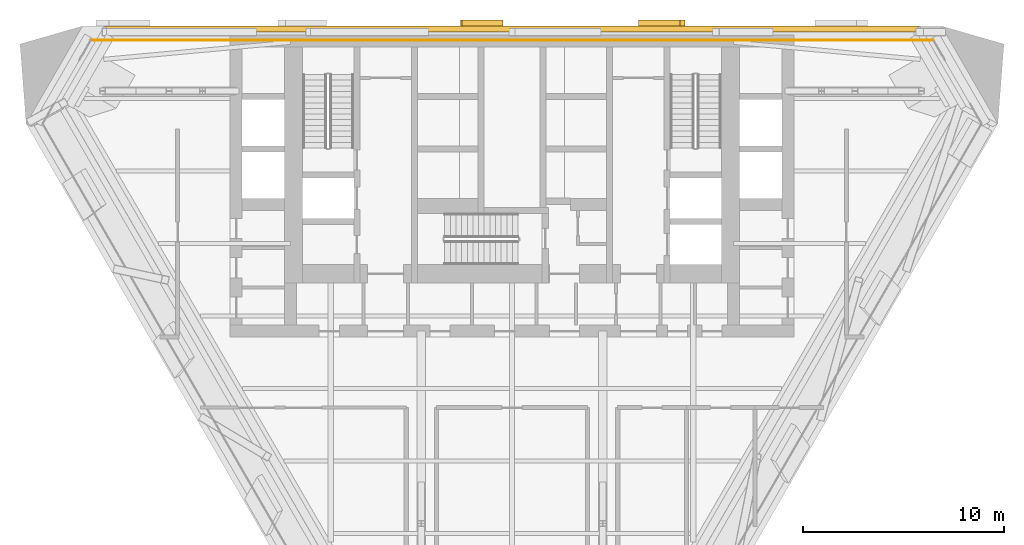
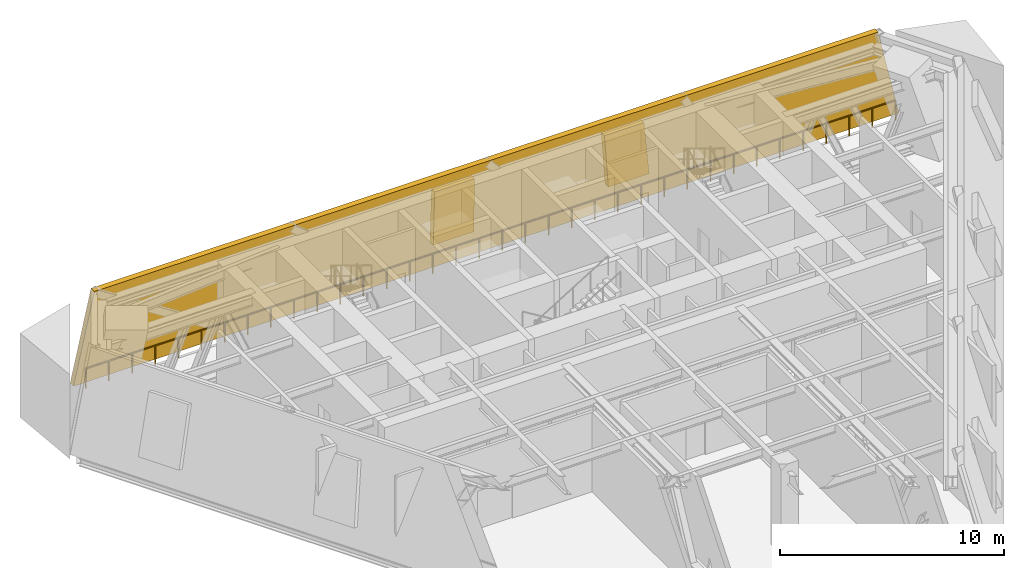
# One storey, part 11 of 12: 2 shading devices, 1 covering, 1 railing.
"""IFC4 building model written with IfcOpenShell, lengths in metres."""

from ifc_helpers import new_model, si_unit, direction, frame, origin, origin_2d, place, context, subcontext, project, spatial, polyline, circle, outline, extrude, material, layer, layer_set, type_object, element, save


model = new_model("IFC4")

# Units and contexts
model_context = context("Model", 3, precision=1e-05, world=origin(), true_north=direction((0.0, 1.0)))
body_context = subcontext(model_context, "Body", "Model", "MODEL_VIEW")
ifc_project = project(units=[si_unit("LENGTHUNIT", "METRE"), si_unit("AREAUNIT", "SQUARE_METRE"), si_unit("VOLUMEUNIT", "CUBIC_METRE"), si_unit("PLANEANGLEUNIT", "RADIAN"), si_unit("MASSUNIT", "GRAM", prefix="KILO")], contexts=[model_context])

# Site, building, storey
site_placement = place(None, origin())
site = spatial("IfcSite", under=ifc_project, at=site_placement, CompositionType="ELEMENT")
building_placement = place(site_placement, origin())
building = spatial("IfcBuilding", under=site, at=building_placement, Name="Aloe Facet Convention Tower", CompositionType="ELEMENT")
storey_placement = place(building_placement, frame((0.0, 0.0, 123.800048828125)))
storey = spatial("IfcBuildingStorey", under=building, at=storey_placement, Name="L31", CompositionType="ELEMENT", Elevation=123.800048828125)

# Covering
ifc_material_1 = material(Name="Granite cladding, bronze anchors", Category="masonry")
ifc_layer_1 = layer(ifc_material_1, 0.300048828125)
ifc_layer_set_1 = layer_set([ifc_layer_1], Name="EV-CLAD-STONE")
covering_type = type_object("IfcCoveringType", Name="EV-CLAD-STONE", PredefinedType="CLADDING", material=ifc_layer_set_1)
covering_placement = place(storey_placement, frame((101.321533203125, 135.0, 0.0), z_axis=(0.0, 1.0, 0.0), x_axis=(-1.0, 0.0, 0.0)))
element("IfcCovering", 1, at=covering_placement, inside=storey, type_object=covering_type, Name="CLADDING L31-N", PredefinedType="CLADDING", context=body_context, shape_type="SweptSolid", body=[
    extrude(outline(polyline([(0.0, 0.0), (42.64306640625, 0.0), (41.564697265625, 4.800048828125), (1.078369140625, 4.800048828125), (0.0, 0.0)])), origin(), (0.0, 0.0, -1.0), 0.300048828125),
])

# Railing
ifc_material_2 = material(Name="Steel S355", Category="steel")
railing_type = type_object("IfcRailingType", Name="EV-GUARD-PORTAL", PredefinedType="GUARDRAIL", material=ifc_material_2)
railing_placement = place(storey_placement, frame((59.08251953125, 134.300048828125, 0.0)))
element("IfcRailing", 2, at=railing_placement, inside=storey, type_object=railing_type, Name="GUARD L31-9", PredefinedType="GUARDRAIL", context=body_context, shape_type="SweptSolid", body=[
    extrude(circle(Radius=0.02392578125, at=origin_2d()), frame((0.0, 0.0, 1.076171875), z_axis=(1.0, 0.0, 0.0), x_axis=(0.0, 1.0, 0.0)), (0.0, 0.0, 1.0), 41.8349609375),
    extrude(circle(Radius=0.02099609375, at=origin_2d()), origin(), (0.0, 0.0, 1.0), 1.052001953125),
    extrude(circle(Radius=0.02099609375, at=origin_2d()), frame((1.1953125, 0.0, 0.0)), (0.0, 0.0, 1.0), 1.052001953125),
    extrude(circle(Radius=0.02099609375, at=origin_2d()), frame((2.390625, 0.0, 0.0)), (0.0, 0.0, 1.0), 1.052001953125),
    extrude(circle(Radius=0.02099609375, at=origin_2d()), frame((3.5859375, 0.0, 0.0)), (0.0, 0.0, 1.0), 1.052001953125),
    extrude(circle(Radius=0.02099609375, at=origin_2d()), frame((4.78125, 0.0, 0.0)), (0.0, 0.0, 1.0), 1.052001953125),
    extrude(circle(Radius=0.02099609375, at=origin_2d()), frame((5.976318359375, 0.0, 0.0)), (0.0, 0.0, 1.0), 1.052001953125),
    extrude(circle(Radius=0.02099609375, at=origin_2d()), frame((7.171630859375, 0.0, 0.0)), (0.0, 0.0, 1.0), 1.052001953125),
    extrude(circle(Radius=0.02099609375, at=origin_2d()), frame((8.366943359375, 0.0, 0.0)), (0.0, 0.0, 1.0), 1.052001953125),
    extrude(circle(Radius=0.02099609375, at=origin_2d()), frame((9.562255859375, 0.0, 0.0)), (0.0, 0.0, 1.0), 1.052001953125),
    extrude(circle(Radius=0.02099609375, at=origin_2d()), frame((10.757568359375, 0.0, 0.0)), (0.0, 0.0, 1.0), 1.052001953125),
    extrude(circle(Radius=0.02099609375, at=origin_2d()), frame((11.952880859375, 0.0, 0.0)), (0.0, 0.0, 1.0), 1.052001953125),
    extrude(circle(Radius=0.02099609375, at=origin_2d()), frame((13.148193359375, 0.0, 0.0)), (0.0, 0.0, 1.0), 1.052001953125),
    extrude(circle(Radius=0.02099609375, at=origin_2d()), frame((14.343505859375, 0.0, 0.0)), (0.0, 0.0, 1.0), 1.052001953125),
    extrude(circle(Radius=0.02099609375, at=origin_2d()), frame((15.538818359375, 0.0, 0.0)), (0.0, 0.0, 1.0), 1.052001953125),
    extrude(circle(Radius=0.02099609375, at=origin_2d()), frame((16.73388671875, 0.0, 0.0)), (0.0, 0.0, 1.0), 1.052001953125),
    extrude(circle(Radius=0.02099609375, at=origin_2d()), frame((17.92919921875, 0.0, 0.0)), (0.0, 0.0, 1.0), 1.052001953125),
    extrude(circle(Radius=0.02099609375, at=origin_2d()), frame((19.12451171875, 0.0, 0.0)), (0.0, 0.0, 1.0), 1.052001953125),
    extrude(circle(Radius=0.02099609375, at=origin_2d()), frame((20.31982421875, 0.0, 0.0)), (0.0, 0.0, 1.0), 1.052001953125),
    extrude(circle(Radius=0.02099609375, at=origin_2d()), frame((21.51513671875, 0.0, 0.0)), (0.0, 0.0, 1.0), 1.052001953125),
    extrude(circle(Radius=0.02099609375, at=origin_2d()), frame((22.71044921875, 0.0, 0.0)), (0.0, 0.0, 1.0), 1.052001953125),
    extrude(circle(Radius=0.02099609375, at=origin_2d()), frame((23.90576171875, 0.0, 0.0)), (0.0, 0.0, 1.0), 1.052001953125),
    extrude(circle(Radius=0.02099609375, at=origin_2d()), frame((25.10107421875, 0.0, 0.0)), (0.0, 0.0, 1.0), 1.052001953125),
    extrude(circle(Radius=0.02099609375, at=origin_2d()), frame((26.296142578125, 0.0, 0.0)), (0.0, 0.0, 1.0), 1.052001953125),
    extrude(circle(Radius=0.02099609375, at=origin_2d()), frame((27.491455078125, 0.0, 0.0)), (0.0, 0.0, 1.0), 1.052001953125),
    extrude(circle(Radius=0.02099609375, at=origin_2d()), frame((28.686767578125, 0.0, 0.0)), (0.0, 0.0, 1.0), 1.052001953125),
    extrude(circle(Radius=0.02099609375, at=origin_2d()), frame((29.882080078125, 0.0, 0.0)), (0.0, 0.0, 1.0), 1.052001953125),
    extrude(circle(Radius=0.02099609375, at=origin_2d()), frame((31.077392578125, 0.0, 0.0)), (0.0, 0.0, 1.0), 1.052001953125),
    extrude(circle(Radius=0.02099609375, at=origin_2d()), frame((32.272705078125, 0.0, 0.0)), (0.0, 0.0, 1.0), 1.052001953125),
    extrude(circle(Radius=0.02099609375, at=origin_2d()), frame((33.468017578125, 0.0, 0.0)), (0.0, 0.0, 1.0), 1.052001953125),
    extrude(circle(Radius=0.02099609375, at=origin_2d()), frame((34.663330078125, 0.0, 0.0)), (0.0, 0.0, 1.0), 1.052001953125),
    extrude(circle(Radius=0.02099609375, at=origin_2d()), frame((35.858642578125, 0.0, 0.0)), (0.0, 0.0, 1.0), 1.052001953125),
    extrude(circle(Radius=0.02099609375, at=origin_2d()), frame((37.0537109375, 0.0, 0.0)), (0.0, 0.0, 1.0), 1.052001953125),
    extrude(circle(Radius=0.02099609375, at=origin_2d()), frame((38.2490234375, 0.0, 0.0)), (0.0, 0.0, 1.0), 1.052001953125),
    extrude(circle(Radius=0.02099609375, at=origin_2d()), frame((39.4443359375, 0.0, 0.0)), (0.0, 0.0, 1.0), 1.052001953125),
    extrude(circle(Radius=0.02099609375, at=origin_2d()), frame((40.6396484375, 0.0, 0.0)), (0.0, 0.0, 1.0), 1.052001953125),
    extrude(circle(Radius=0.02099609375, at=origin_2d()), frame((41.8349609375, 0.0, 0.0)), (0.0, 0.0, 1.0), 1.052001953125),
])

# Shading devices
ifc_material_3 = material(Name="Aluminium, anodised", Category="aluminium")
ifc_layer_2 = layer(ifc_material_3, 0.300048828125)
ifc_layer_set_2 = layer_set([ifc_layer_2], Name="EV-LOUVRE-BELT")
shading_device_type = type_object("IfcShadingDeviceType", Name="EV-LOUVRE-BELT", PredefinedType="JALOUSIE", material=ifc_layer_set_2)
shading_device_1_placement = place(storey_placement, frame((88.593017578125, 135.300048828125, 0.9599609375), z_axis=(0.0, 1.0, 0.0), x_axis=(-1.0, 0.0, 0.0)))
element("IfcShadingDevice", 3, at=shading_device_1_placement, inside=storey, type_object=shading_device_type, Name="LOUVRE L31-N05", PredefinedType="JALOUSIE", context=body_context, shape_type="SweptSolid", body=[
    extrude(outline(polyline([(0.0, 0.0), (2.110595703125, 0.0), (2.309326171875, 2.8798828125), (0.263427734375, 2.8798828125), (0.0, 0.0)])), origin(), (0.0, 0.0, -1.0), 0.300048828125),
])
shading_device_2_placement = place(storey_placement, frame((79.5478515625, 135.300048828125, 0.9599609375), z_axis=(0.0, 1.0, 0.0), x_axis=(-1.0, 0.0, 0.0)))
element("IfcShadingDevice", 4, at=shading_device_2_placement, inside=storey, type_object=shading_device_type, Name="LOUVRE L31-N08", PredefinedType="JALOUSIE", context=body_context, shape_type="SweptSolid", body=[
    extrude(outline(polyline([(0.0, 0.0), (2.110595703125, 0.0), (2.0322265625, 2.8798828125), (-0.013671875, 2.8798828125), (0.0, 0.0)])), origin(), (0.0, 0.0, -1.0), 0.300048828125),
])

save(model, "model.ifc")
